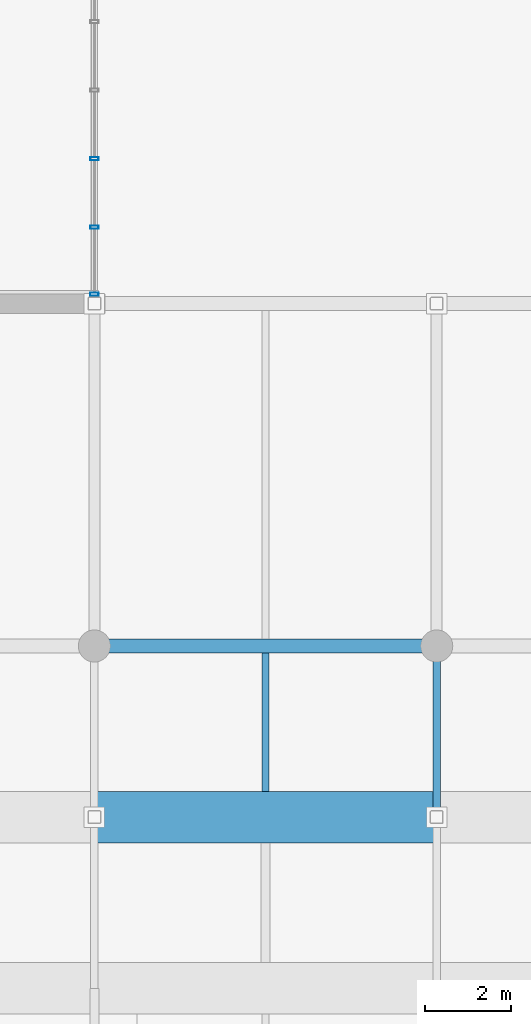
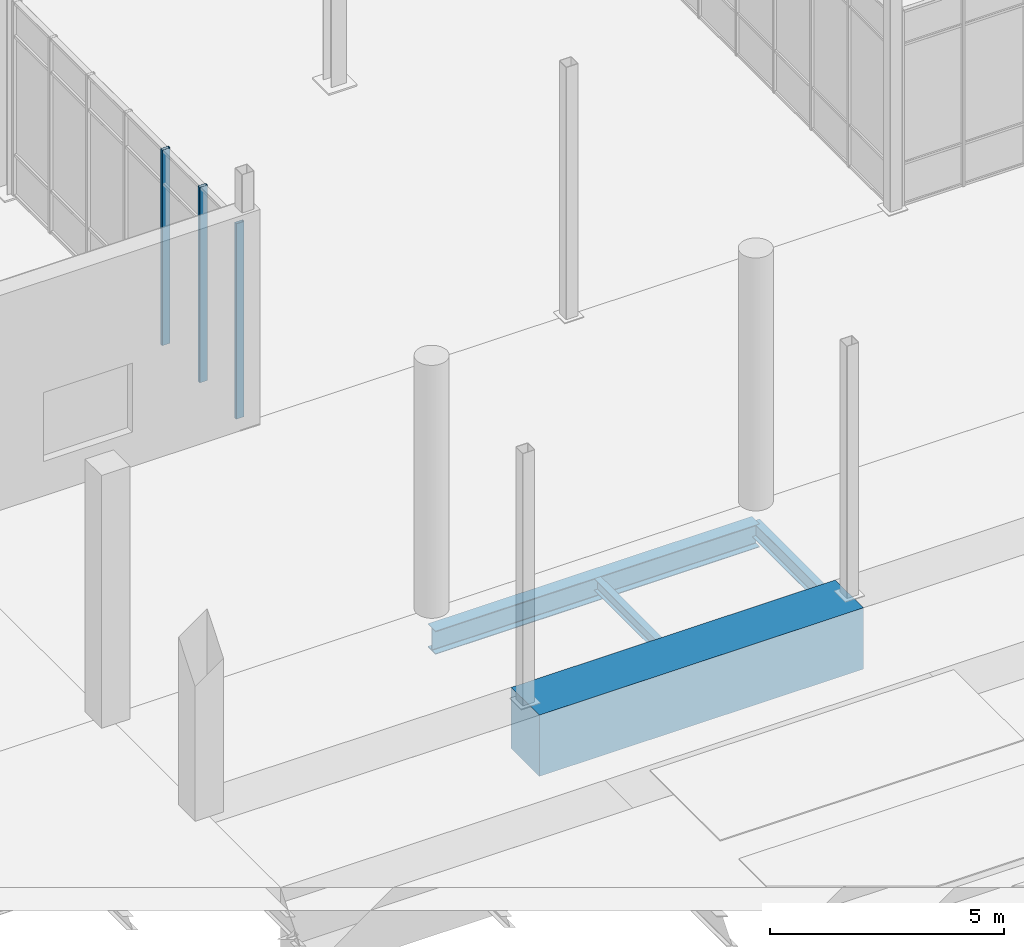
# One storey, part 25 of 140: 4 beams, 3 members, 1 element without a shape of its own.
"""IFC4 building model written with IfcOpenShell, lengths in metres."""

import ifcopenshell
import ifcopenshell.guid

model = None  # the IFC model being written
_history = None  # IfcOwnerHistory: only IFC2X3 demands one
_inside = {}  # id of a spatial element -> (the spatial element, [elements in it])
_under = {}  # id of a project, library or spatial element -> (it, [spatial elements below it])
_declared = {}  # id of a project -> (the project, [libraries it declares])
_typed = {}  # id of a type object -> (the type object, [elements of that type])
_made_of = {}  # id of a material, layer set ... -> (it, [elements and type objects made of it])


def new_model(schema):
    """Start an empty IFC model of exactly this schema.

    Asked for "IFC4X3", IfcOpenShell would pick the latest addendum, in which some entities
    have other attributes; the version numbers below select the first issue.
    IFC2X3 requires an IfcOwnerHistory on every rooted entity: one is made here for all.
    """
    global model, _history
    if schema == "IFC4X3":
        model = ifcopenshell.file(schema_version=(4, 3, 0, 0))
    else:
        model = ifcopenshell.file(schema=schema)
    _inside.clear()
    _under.clear()
    _declared.clear()
    _typed.clear()
    _made_of.clear()
    _history = None
    if model.schema == "IFC2X3":
        org = make("IfcOrganization", Name="unknown")
        user = make(
            "IfcPersonAndOrganization",
            ThePerson=make("IfcPerson", FamilyName="unknown"),
            TheOrganization=org,
        )
        app = make(
            "IfcApplication",
            ApplicationDeveloper=org,
            Version="unknown",
            ApplicationFullName="unknown",
            ApplicationIdentifier="unknown",
        )
        _history = make(
            "IfcOwnerHistory",
            OwningUser=user,
            OwningApplication=app,
            ChangeAction="ADDED",
            CreationDate=0,
        )
    return model


def make(cls, **values):
    """One entity of the class cls with the attributes given. An attribute that is None is left unset."""
    return model.create_entity(
        cls, **{name: value for name, value in values.items() if value is not None}
    )


def rooted(cls, **values):
    """An entity with a GlobalId (a new one), such as an element, a storey or a relation."""
    return make(cls, GlobalId=ifcopenshell.guid.new(), OwnerHistory=_history, **values)


def si_unit(unit_type, name, prefix=None):
    """IfcSIUnit, for example si_unit("LENGTHUNIT", "METRE", prefix="MILLI")."""
    return make("IfcSIUnit", UnitType=unit_type, Prefix=prefix, Name=name)


def assignment(units):
    """IfcUnitAssignment: the units of a project."""
    return None if units is None else make("IfcUnitAssignment", Units=units)


def point(xyz):
    """IfcCartesianPoint."""
    return None if xyz is None else make("IfcCartesianPoint", Coordinates=xyz)


def direction(xyz):
    """IfcDirection."""
    return None if xyz is None else make("IfcDirection", DirectionRatios=xyz)


def frame(location, z_axis=None, x_axis=None):
    """IfcAxis2Placement3D, a coordinate frame: its origin and axes. An axis left out is left unset."""
    return make(
        "IfcAxis2Placement3D",
        Location=point(location),
        Axis=direction(z_axis),
        RefDirection=direction(x_axis),
    )


def frame_2d(location, x_axis=None):
    """IfcAxis2Placement2D, a coordinate frame in the plane: its origin and x axis."""
    return make(
        "IfcAxis2Placement2D", Location=point(location), RefDirection=direction(x_axis)
    )


def origin():
    """The frame at (0, 0, 0) with its axes left unset."""
    return frame((0.0, 0.0, 0.0))


def origin_2d():
    """The frame at (0, 0) in the plane with its x axis left unset."""
    return frame_2d((0.0, 0.0))


def place(relative_to, where):
    """IfcLocalPlacement: puts the frame where relative to a parent placement (None: the world)."""
    return make(
        "IfcLocalPlacement", PlacementRelTo=relative_to, RelativePlacement=where
    )


def context(
    kind, dimensions, precision=None, world=None, true_north=None, identifier=None
):
    """IfcGeometricRepresentationContext, for example the 3D "Model" context."""
    return make(
        "IfcGeometricRepresentationContext",
        ContextIdentifier=identifier,
        ContextType=kind,
        CoordinateSpaceDimension=dimensions,
        Precision=precision,
        WorldCoordinateSystem=world,
        TrueNorth=true_north,
    )


def subcontext(parent, identifier, kind, view, scale=None):
    """IfcGeometricRepresentationSubContext, for example "Body" below "Model"."""
    return make(
        "IfcGeometricRepresentationSubContext",
        ContextIdentifier=identifier,
        ContextType=kind,
        ParentContext=parent,
        TargetScale=scale,
        TargetView=view,
    )


def project(units=None, contexts=None):
    """IfcProject with its units and contexts."""
    return rooted(
        "IfcProject",
        Name="project",
        RepresentationContexts=contexts,
        UnitsInContext=assignment(units),
    )


def spatial(cls, under=None, at=None, **own):
    """A site, building, storey or space (cls), placed at a placement, below another one or the project."""
    s = rooted(cls, ObjectPlacement=at, **own)
    if under is not None:
        _under.setdefault(under.id(), (under, []))[1].append(s)
    return s


def profile(cls, at=None, kind="AREA", **sizes):
    """A parametric profile (cls). Its sizes go by their IFC names, for example OverallWidth=200.0."""
    return make(cls, ProfileType=kind, Position=at, **sizes)


def rectangle(**sizes):
    """IfcRectangleProfileDef."""
    return profile("IfcRectangleProfileDef", **sizes)


def hollow_rectangle(**sizes):
    """IfcRectangleHollowProfileDef."""
    return profile("IfcRectangleHollowProfileDef", **sizes)


def i_section(**sizes):
    """IfcIShapeProfileDef."""
    return profile("IfcIShapeProfileDef", **sizes)


def extrude(swept, where, along, depth):
    """IfcExtrudedAreaSolid: the profile swept, set in the frame where, extruded along a direction by depth."""
    return make(
        "IfcExtrudedAreaSolid",
        SweptArea=swept,
        Position=where,
        ExtrudedDirection=direction(along),
        Depth=depth,
    )


def shape(context_of_items, identifier, shape_type, items):
    """IfcShapeRepresentation: the items that make up one representation, for example the "Body"."""
    return make(
        "IfcShapeRepresentation",
        ContextOfItems=context_of_items,
        RepresentationIdentifier=identifier,
        RepresentationType=shape_type,
        Items=items,
    )


def material(Name=None, Category=None):
    """IfcMaterial."""
    return make("IfcMaterial", Name=Name, Category=Category)


def material_profile(
    of_material, cross_section, Name=None, Category=None, Priority=None
):
    """IfcMaterialProfile: a cross section and its material."""
    return make(
        "IfcMaterialProfile",
        Name=Name,
        Material=of_material,
        Profile=cross_section,
        Priority=Priority,
        Category=Category,
    )


def profile_set(profiles, Name=None, composite=None):
    """IfcMaterialProfileSet."""
    return make(
        "IfcMaterialProfileSet",
        Name=Name,
        MaterialProfiles=profiles,
        CompositeProfile=composite,
    )


def made_of(thing, what):
    """Note that an element or type object is made of a material, layer set ...; save() writes the relation."""
    if what is not None:
        _made_of.setdefault(what.id(), (what, []))[1].append(thing)
    return thing


def type_object(cls, material=None, **own):
    """A type object (cls), such as IfcWallType, which elements share."""
    return made_of(rooted(cls, **own), material)


def element(
    cls,
    number,
    at=None,
    inside=None,
    cuts=None,
    type_object=None,
    material=None,
    context=None,
    identifier="Body",
    shape_type=None,
    held_by="IfcProductDefinitionShape",
    body=None,
    shapes=None,
    **own,
):
    """One element of the class cls, such as IfcWall. Its Tag is "e" and its number.

    at: its placement. inside: the storey or other place that contains it. cuts: it is an
    opening in that element (IfcRelVoidsElement). A single representation is given by context,
    identifier, shape_type and body (its items); several are given by shapes. held_by: the class
    of the entity that holds the representations. save() writes the other relations.
    """
    e = rooted(cls, Tag="e%d" % number, ObjectPlacement=at, **own)
    if body is not None:
        shapes = [shape(context, identifier, shape_type, body)]
    if shapes is not None:
        e.Representation = make(held_by, Representations=shapes)
    if inside is not None:
        _inside.setdefault(inside.id(), (inside, []))[1].append(e)
    if cuts is not None:
        rooted(
            "IfcRelVoidsElement", RelatingBuildingElement=cuts, RelatedOpeningElement=e
        )
    if type_object is not None:
        _typed.setdefault(type_object.id(), (type_object, []))[1].append(e)
    return made_of(e, material)


def aggregate(whole, parts):
    """IfcRelAggregates: a whole, such as a stair, and the parts it consists of."""
    return rooted("IfcRelAggregates", RelatingObject=whole, RelatedObjects=parts)


def save(model, path):
    """Write the relations noted so far, then the file.

    IfcRelAggregates (storeys below a building ...), IfcRelContainedInSpatialStructure (elements
    in a storey), IfcRelDefinesByType, IfcRelAssociatesMaterial and IfcRelDeclares: one each for
    every whole, place, type object, material and project.
    """
    for whole, parts in _under.values():
        aggregate(whole, parts)
    for where, things in _inside.values():
        rooted(
            "IfcRelContainedInSpatialStructure",
            RelatedElements=things,
            RelatingStructure=where,
        )
    for kind, things in _typed.values():
        rooted("IfcRelDefinesByType", RelatedObjects=things, RelatingType=kind)
    for what, things in _made_of.values():
        rooted("IfcRelAssociatesMaterial", RelatedObjects=things, RelatingMaterial=what)
    for by, libraries in _declared.values():
        rooted("IfcRelDeclares", RelatingContext=by, RelatedDefinitions=libraries)
    model.write(path)


model = new_model("IFC4")

# Units and contexts
model_context = context("Model", 3, precision=1e-05, world=origin(), true_north=direction((0.0, 1.0)))
body_context = subcontext(model_context, "Body", "Model", "MODEL_VIEW")
ifc_project = project(units=[si_unit("LENGTHUNIT", "METRE"), si_unit("AREAUNIT", "SQUARE_METRE"), si_unit("VOLUMEUNIT", "CUBIC_METRE"), si_unit("PLANEANGLEUNIT", "RADIAN"), si_unit("MASSUNIT", "GRAM", prefix="KILO")], contexts=[model_context])

# Site, building, storey
site_placement = place(None, origin())
site = spatial("IfcSite", under=ifc_project, at=site_placement, CompositionType="ELEMENT")
building_placement = place(site_placement, origin())
building = spatial("IfcBuilding", under=site, at=building_placement, Name="Verrall Gate Interchange", CompositionType="ELEMENT")
storey_placement = place(building_placement, origin())
storey = spatial("IfcBuildingStorey", under=building, at=storey_placement, Name="L01", CompositionType="ELEMENT", Elevation=0.0)

# Beams
ifc_material_1 = material(Name="Structural Steel CSA G40.21 350WT Cat 4", Category="steel")
ifc_material_profile_1 = material_profile(ifc_material_1, i_section(OverallWidth=0.323974609375, OverallDepth=0.611083984375, WebThickness=0.0126953125, FlangeThickness=0.01904296875, FilletRadius=0.014892578125, at=origin_2d()), Name="W610x155")
ifc_profile_set_1 = profile_set([ifc_material_profile_1], Name="Structural Steel CSA G40.21 350WT Cat 4")
beam_type_1 = type_object("IfcBeamType", Name="B-08 Structural Beam W610x155", PredefinedType="BEAM", material=ifc_profile_set_1)
beam_1_placement = place(storey_placement, frame((44.0, 48.0, -0.805419921875), z_axis=(1.0, 0.0, 0.0), x_axis=(0.0, 1.0, 0.0)))
element("IfcBeam", 1, at=beam_1_placement, inside=storey, type_object=beam_type_1, Name="L01 Girder BM-L01-0918 (B-08)", PredefinedType="BEAM", context=body_context, shape_type="SweptSolid", body=[
    extrude(i_section(OverallWidth=0.323974609375, OverallDepth=0.611083984375, WebThickness=0.0126953125, FlangeThickness=0.01904296875, FilletRadius=0.014892578125, at=origin_2d()), origin(), (0.0, 0.0, 1.0), 8.0),
])
ifc_material_2 = material(Name="Structural Steel CSA G40.21 350W", Category="steel")
ifc_material_profile_2 = material_profile(ifc_material_2, i_section(OverallWidth=0.178955078125, OverallDepth=0.409912109375, WebThickness=0.0087890625, FlangeThickness=0.014404296875, FilletRadius=0.011962890625, at=origin_2d()), Name="W410x67")
ifc_profile_set_2 = profile_set([ifc_material_profile_2], Name="Structural Steel CSA G40.21 350W")
beam_type_2 = type_object("IfcBeamType", Name="B-12 Structural Beam W410x67", PredefinedType="BEAM", material=ifc_profile_set_2)
beam_2_placement = place(storey_placement, frame((52.0, 44.0, -0.705078125), z_axis=(0.0, 1.0, 0.0), x_axis=(-1.0, 0.0, 0.0)))
element("IfcBeam", 2, at=beam_2_placement, inside=storey, type_object=beam_type_2, Name="L01 Girder BM-L01-1106 (B-12)", PredefinedType="BEAM", context=body_context, shape_type="SweptSolid", body=[
    extrude(i_section(OverallWidth=0.178955078125, OverallDepth=0.409912109375, WebThickness=0.0087890625, FlangeThickness=0.014404296875, FilletRadius=0.011962890625, at=origin_2d()), origin(), (0.0, 0.0, 1.0), 4.0),
])

# Curtain wall, members
ifc_material_3 = material(Name="Thermally Broken Anodized Aluminium Curtain Wall Framing", Category="aluminium")
curtain_wall_type = type_object("IfcCurtainWallType", Name="CW-07 Unitized Curtain Wall 9606x5100", PredefinedType="NOTDEFINED", material=ifc_material_3)
curtain_wall_placement = place(storey_placement, origin())
curtain_wall = element("IfcCurtainWall", 3, at=curtain_wall_placement, inside=storey, type_object=curtain_wall_type, Name="L01 Unitized Curtain Wall CW-L01-021", PredefinedType="NOTDEFINED")
ifc_material_4 = material(Name="Thermally Broken Anodized Aluminium Curtain Wall Framing", Category="aluminium")
ifc_material_profile_3 = material_profile(ifc_material_4, hollow_rectangle(XDim=0.074951171875, YDim=0.199951171875, WallThickness=0.0048828125, InnerFilletRadius=0.0048828125, OuterFilletRadius=0.010009765625, at=origin_2d()), Name="CWM200x75x5")
ifc_profile_set_3 = profile_set([ifc_material_profile_3], Name="Thermally Broken Anodized Aluminium Curtain Wall Framing")
member_type = type_object("IfcMemberType", Name="CM-02 Curtain Mullion CWM200x75x5", PredefinedType="MULLION", material=ifc_profile_set_3)
member_1_placement = place(storey_placement, frame((44.0, 56.221923828125, 0.0), z_axis=(0.0, 0.0, 1.0), x_axis=(0.0, 1.0, 0.0)))
member_1 = element("IfcMember", 4, at=member_1_placement, type_object=member_type, Name="CW-L01-021 Mullion 1", PredefinedType="MULLION", context=body_context, shape_type="SweptSolid", body=[
    extrude(hollow_rectangle(XDim=0.074951171875, YDim=0.199951171875, WallThickness=0.0048828125, InnerFilletRadius=0.0048828125, OuterFilletRadius=0.010009765625, at=origin_2d()), origin(), (0.0, 0.0, 1.0), 5.10009765625),
])
member_2_placement = place(storey_placement, frame((44.0, 57.785400390625, 0.0), z_axis=(0.0, 0.0, 1.0), x_axis=(0.0, 1.0, 0.0)))
member_2 = element("IfcMember", 5, at=member_2_placement, type_object=member_type, Name="CW-L01-021 Mullion 2", PredefinedType="MULLION", context=body_context, shape_type="SweptSolid", body=[
    extrude(hollow_rectangle(XDim=0.074951171875, YDim=0.199951171875, WallThickness=0.0048828125, InnerFilletRadius=0.0048828125, OuterFilletRadius=0.010009765625, at=origin_2d()), origin(), (0.0, 0.0, 1.0), 5.10009765625),
])
member_3_placement = place(storey_placement, frame((44.0, 59.38623046875, 0.0), z_axis=(0.0, 0.0, 1.0), x_axis=(0.0, 1.0, 0.0)))
member_3 = element("IfcMember", 6, at=member_3_placement, type_object=member_type, Name="CW-L01-021 Mullion 3", PredefinedType="MULLION", context=body_context, shape_type="SweptSolid", body=[
    extrude(hollow_rectangle(XDim=0.074951171875, YDim=0.199951171875, WallThickness=0.0048828125, InnerFilletRadius=0.0048828125, OuterFilletRadius=0.010009765625, at=origin_2d()), origin(), (0.0, 0.0, 1.0), 5.10009765625),
])
aggregate(curtain_wall, [member_1, member_2, member_3])

# Beams
ifc_material_5 = material(Name="Structural Steel CSA G40.21 350W", Category="steel")
ifc_material_profile_4 = material_profile(ifc_material_5, i_section(OverallWidth=0.1650390625, OverallDepth=0.31005859375, WebThickness=0.005859375, FlangeThickness=0.009765625, FilletRadius=0.010009765625, at=origin_2d()), Name="W310x39")
ifc_profile_set_4 = profile_set([ifc_material_profile_4], Name="Structural Steel CSA G40.21 350W")
beam_type_3 = type_object("IfcBeamType", Name="J-04 Floor Joist W310x39", PredefinedType="JOIST", material=ifc_profile_set_4)
beam_3_placement = place(storey_placement, frame((48.0, 44.60009765625, -0.655029296875), z_axis=(0.0, 1.0, 0.0), x_axis=(-1.0, 0.0, 0.0)))
element("IfcBeam", 7, at=beam_3_placement, inside=storey, type_object=beam_type_3, Name="L01 Secondary Floor Joist JST-L01-1386", PredefinedType="JOIST", context=body_context, shape_type="SweptSolid", body=[
    extrude(i_section(OverallWidth=0.1650390625, OverallDepth=0.31005859375, WebThickness=0.005859375, FlangeThickness=0.009765625, FilletRadius=0.010009765625, at=origin_2d()), origin(), (0.0, 0.0, 1.0), 3.23779296875),
])
ifc_material_6 = material(Name="Concrete CSA A23.1 40 MPa (Class N)", Category="concrete")
ifc_material_profile_5 = material_profile(ifc_material_6, rectangle(XDim=1.199951171875, YDim=1.60009765625, at=origin_2d()), Name="RC1200x1600")
ifc_profile_set_5 = profile_set([ifc_material_profile_5], Name="Concrete CSA A23.1 40 MPa (Class N)")
beam_type_4 = type_object("IfcBeamType", Name="TG-01 Transfer Girder RC1200x1600", PredefinedType="USERDEFINED", material=ifc_profile_set_5)
beam_4_placement = place(storey_placement, frame((44.0, 44.0, -0.800048828125), z_axis=(1.0, 0.0, 0.0), x_axis=(0.0, 1.0, 0.0)))
element("IfcBeam", 8, at=beam_4_placement, inside=storey, type_object=beam_type_4, Name="L01 Girder BM-L01-0896 (TG-01)", ObjectType="TRANSFER_GIRDER", PredefinedType="USERDEFINED", context=body_context, shape_type="SweptSolid", body=[
    extrude(rectangle(XDim=1.199951171875, YDim=1.60009765625, at=origin_2d()), origin(), (0.0, 0.0, 1.0), 8.0),
])

save(model, "model.ifc")
